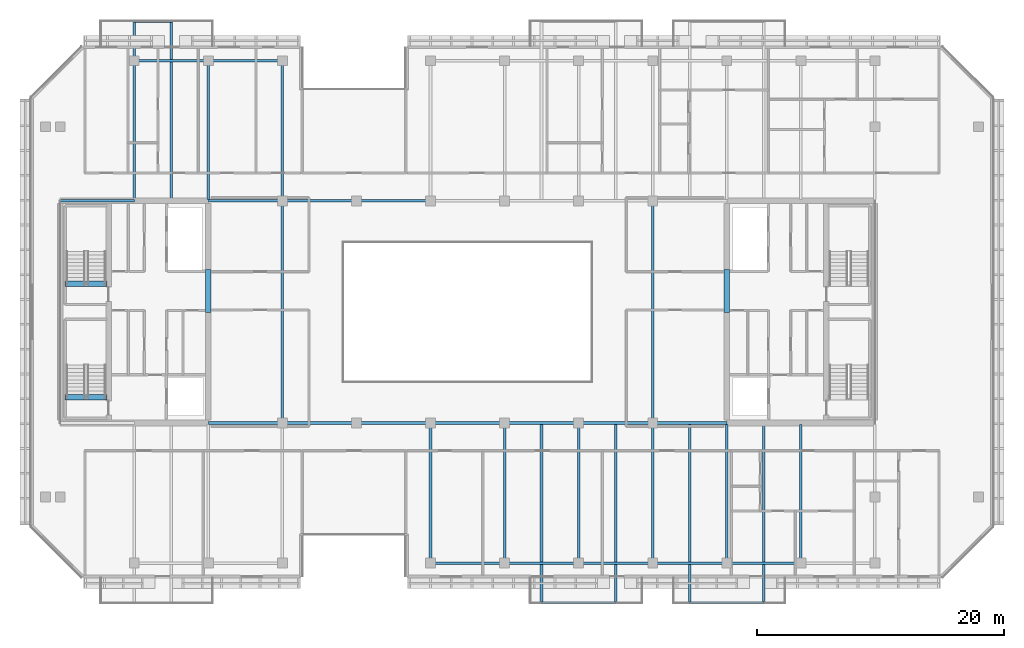
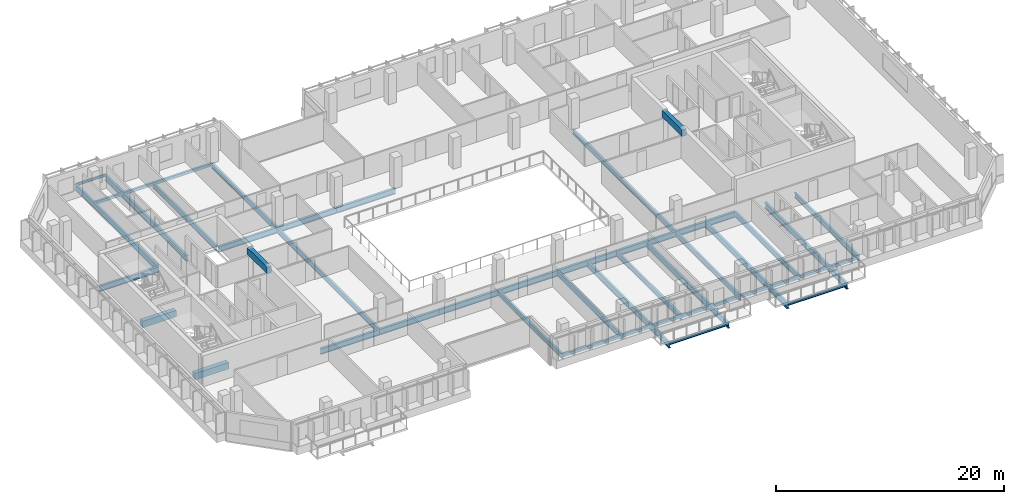
# One storey, part 3 of 16: 41 beams.
"""IFC4 building model written with IfcOpenShell, lengths in metres."""

import ifcopenshell
import ifcopenshell.guid

model = None  # the IFC model being written
_history = None  # IfcOwnerHistory: only IFC2X3 demands one
_inside = {}  # id of a spatial element -> (the spatial element, [elements in it])
_under = {}  # id of a project, library or spatial element -> (it, [spatial elements below it])
_declared = {}  # id of a project -> (the project, [libraries it declares])
_typed = {}  # id of a type object -> (the type object, [elements of that type])
_made_of = {}  # id of a material, layer set ... -> (it, [elements and type objects made of it])


def new_model(schema):
    """Start an empty IFC model of exactly this schema.

    Asked for "IFC4X3", IfcOpenShell would pick the latest addendum, in which some entities
    have other attributes; the version numbers below select the first issue.
    IFC2X3 requires an IfcOwnerHistory on every rooted entity: one is made here for all.
    """
    global model, _history
    if schema == "IFC4X3":
        model = ifcopenshell.file(schema_version=(4, 3, 0, 0))
    else:
        model = ifcopenshell.file(schema=schema)
    _inside.clear()
    _under.clear()
    _declared.clear()
    _typed.clear()
    _made_of.clear()
    _history = None
    if model.schema == "IFC2X3":
        org = make("IfcOrganization", Name="unknown")
        user = make(
            "IfcPersonAndOrganization",
            ThePerson=make("IfcPerson", FamilyName="unknown"),
            TheOrganization=org,
        )
        app = make(
            "IfcApplication",
            ApplicationDeveloper=org,
            Version="unknown",
            ApplicationFullName="unknown",
            ApplicationIdentifier="unknown",
        )
        _history = make(
            "IfcOwnerHistory",
            OwningUser=user,
            OwningApplication=app,
            ChangeAction="ADDED",
            CreationDate=0,
        )
    return model


def make(cls, **values):
    """One entity of the class cls with the attributes given. An attribute that is None is left unset."""
    return model.create_entity(
        cls, **{name: value for name, value in values.items() if value is not None}
    )


def rooted(cls, **values):
    """An entity with a GlobalId (a new one), such as an element, a storey or a relation."""
    return make(cls, GlobalId=ifcopenshell.guid.new(), OwnerHistory=_history, **values)


def si_unit(unit_type, name, prefix=None):
    """IfcSIUnit, for example si_unit("LENGTHUNIT", "METRE", prefix="MILLI")."""
    return make("IfcSIUnit", UnitType=unit_type, Prefix=prefix, Name=name)


def assignment(units):
    """IfcUnitAssignment: the units of a project."""
    return None if units is None else make("IfcUnitAssignment", Units=units)


def point(xyz):
    """IfcCartesianPoint."""
    return None if xyz is None else make("IfcCartesianPoint", Coordinates=xyz)


def direction(xyz):
    """IfcDirection."""
    return None if xyz is None else make("IfcDirection", DirectionRatios=xyz)


def frame(location, z_axis=None, x_axis=None):
    """IfcAxis2Placement3D, a coordinate frame: its origin and axes. An axis left out is left unset."""
    return make(
        "IfcAxis2Placement3D",
        Location=point(location),
        Axis=direction(z_axis),
        RefDirection=direction(x_axis),
    )


def frame_2d(location, x_axis=None):
    """IfcAxis2Placement2D, a coordinate frame in the plane: its origin and x axis."""
    return make(
        "IfcAxis2Placement2D", Location=point(location), RefDirection=direction(x_axis)
    )


def origin():
    """The frame at (0, 0, 0) with its axes left unset."""
    return frame((0.0, 0.0, 0.0))


def origin_2d():
    """The frame at (0, 0) in the plane with its x axis left unset."""
    return frame_2d((0.0, 0.0))


def place(relative_to, where):
    """IfcLocalPlacement: puts the frame where relative to a parent placement (None: the world)."""
    return make(
        "IfcLocalPlacement", PlacementRelTo=relative_to, RelativePlacement=where
    )


def context(
    kind, dimensions, precision=None, world=None, true_north=None, identifier=None
):
    """IfcGeometricRepresentationContext, for example the 3D "Model" context."""
    return make(
        "IfcGeometricRepresentationContext",
        ContextIdentifier=identifier,
        ContextType=kind,
        CoordinateSpaceDimension=dimensions,
        Precision=precision,
        WorldCoordinateSystem=world,
        TrueNorth=true_north,
    )


def subcontext(parent, identifier, kind, view, scale=None):
    """IfcGeometricRepresentationSubContext, for example "Body" below "Model"."""
    return make(
        "IfcGeometricRepresentationSubContext",
        ContextIdentifier=identifier,
        ContextType=kind,
        ParentContext=parent,
        TargetScale=scale,
        TargetView=view,
    )


def project(units=None, contexts=None):
    """IfcProject with its units and contexts."""
    return rooted(
        "IfcProject",
        Name="project",
        RepresentationContexts=contexts,
        UnitsInContext=assignment(units),
    )


def spatial(cls, under=None, at=None, **own):
    """A site, building, storey or space (cls), placed at a placement, below another one or the project."""
    s = rooted(cls, ObjectPlacement=at, **own)
    if under is not None:
        _under.setdefault(under.id(), (under, []))[1].append(s)
    return s


def profile(cls, at=None, kind="AREA", **sizes):
    """A parametric profile (cls). Its sizes go by their IFC names, for example OverallWidth=200.0."""
    return make(cls, ProfileType=kind, Position=at, **sizes)


def rectangle(**sizes):
    """IfcRectangleProfileDef."""
    return profile("IfcRectangleProfileDef", **sizes)


def hollow_rectangle(**sizes):
    """IfcRectangleHollowProfileDef."""
    return profile("IfcRectangleHollowProfileDef", **sizes)


def i_section(**sizes):
    """IfcIShapeProfileDef."""
    return profile("IfcIShapeProfileDef", **sizes)


def extrude(swept, where, along, depth):
    """IfcExtrudedAreaSolid: the profile swept, set in the frame where, extruded along a direction by depth."""
    return make(
        "IfcExtrudedAreaSolid",
        SweptArea=swept,
        Position=where,
        ExtrudedDirection=direction(along),
        Depth=depth,
    )


def shape(context_of_items, identifier, shape_type, items):
    """IfcShapeRepresentation: the items that make up one representation, for example the "Body"."""
    return make(
        "IfcShapeRepresentation",
        ContextOfItems=context_of_items,
        RepresentationIdentifier=identifier,
        RepresentationType=shape_type,
        Items=items,
    )


def material(Name=None, Category=None):
    """IfcMaterial."""
    return make("IfcMaterial", Name=Name, Category=Category)


def material_profile(
    of_material, cross_section, Name=None, Category=None, Priority=None
):
    """IfcMaterialProfile: a cross section and its material."""
    return make(
        "IfcMaterialProfile",
        Name=Name,
        Material=of_material,
        Profile=cross_section,
        Priority=Priority,
        Category=Category,
    )


def profile_set(profiles, Name=None, composite=None):
    """IfcMaterialProfileSet."""
    return make(
        "IfcMaterialProfileSet",
        Name=Name,
        MaterialProfiles=profiles,
        CompositeProfile=composite,
    )


def made_of(thing, what):
    """Note that an element or type object is made of a material, layer set ...; save() writes the relation."""
    if what is not None:
        _made_of.setdefault(what.id(), (what, []))[1].append(thing)
    return thing


def type_object(cls, material=None, **own):
    """A type object (cls), such as IfcWallType, which elements share."""
    return made_of(rooted(cls, **own), material)


def element(
    cls,
    number,
    at=None,
    inside=None,
    cuts=None,
    type_object=None,
    material=None,
    context=None,
    identifier="Body",
    shape_type=None,
    held_by="IfcProductDefinitionShape",
    body=None,
    shapes=None,
    **own,
):
    """One element of the class cls, such as IfcWall. Its Tag is "e" and its number.

    at: its placement. inside: the storey or other place that contains it. cuts: it is an
    opening in that element (IfcRelVoidsElement). A single representation is given by context,
    identifier, shape_type and body (its items); several are given by shapes. held_by: the class
    of the entity that holds the representations. save() writes the other relations.
    """
    e = rooted(cls, Tag="e%d" % number, ObjectPlacement=at, **own)
    if body is not None:
        shapes = [shape(context, identifier, shape_type, body)]
    if shapes is not None:
        e.Representation = make(held_by, Representations=shapes)
    if inside is not None:
        _inside.setdefault(inside.id(), (inside, []))[1].append(e)
    if cuts is not None:
        rooted(
            "IfcRelVoidsElement", RelatingBuildingElement=cuts, RelatedOpeningElement=e
        )
    if type_object is not None:
        _typed.setdefault(type_object.id(), (type_object, []))[1].append(e)
    return made_of(e, material)


def aggregate(whole, parts):
    """IfcRelAggregates: a whole, such as a stair, and the parts it consists of."""
    return rooted("IfcRelAggregates", RelatingObject=whole, RelatedObjects=parts)


def save(model, path):
    """Write the relations noted so far, then the file.

    IfcRelAggregates (storeys below a building ...), IfcRelContainedInSpatialStructure (elements
    in a storey), IfcRelDefinesByType, IfcRelAssociatesMaterial and IfcRelDeclares: one each for
    every whole, place, type object, material and project.
    """
    for whole, parts in _under.values():
        aggregate(whole, parts)
    for where, things in _inside.values():
        rooted(
            "IfcRelContainedInSpatialStructure",
            RelatedElements=things,
            RelatingStructure=where,
        )
    for kind, things in _typed.values():
        rooted("IfcRelDefinesByType", RelatedObjects=things, RelatingType=kind)
    for what, things in _made_of.values():
        rooted("IfcRelAssociatesMaterial", RelatedObjects=things, RelatingMaterial=what)
    for by, libraries in _declared.values():
        rooted("IfcRelDeclares", RelatingContext=by, RelatedDefinitions=libraries)
    model.write(path)


model = new_model("IFC4")

# Units and contexts
model_context = context("Model", 3, precision=1e-05, world=origin(), true_north=direction((0.0, 1.0)))
body_context = subcontext(model_context, "Body", "Model", "MODEL_VIEW")
ifc_project = project(units=[si_unit("LENGTHUNIT", "METRE"), si_unit("AREAUNIT", "SQUARE_METRE"), si_unit("VOLUMEUNIT", "CUBIC_METRE"), si_unit("PLANEANGLEUNIT", "RADIAN"), si_unit("MASSUNIT", "GRAM", prefix="KILO")], contexts=[model_context])

# Site, building, storey
site_placement = place(None, origin())
site = spatial("IfcSite", under=ifc_project, at=site_placement, CompositionType="ELEMENT")
building_placement = place(site_placement, origin())
building = spatial("IfcBuilding", under=site, at=building_placement, Name="Tanjung Sevakor Pilgrim Tower", CompositionType="ELEMENT")
storey_placement = place(building_placement, frame((0.0, 0.0, 191.72998046875)))
storey = spatial("IfcBuildingStorey", under=building, at=storey_placement, Name="L53", CompositionType="ELEMENT", Elevation=191.72998046875)

# Beams
ifc_material_1 = material(Name="Steel S355J2", Category="steel")
ifc_material_profile_1 = material_profile(ifc_material_1, i_section(OverallWidth=0.22900390625, OverallDepth=0.6123046875, WebThickness=0.011962890625, FlangeThickness=0.01953125, FilletRadius=0.0126953125, at=origin_2d()))
ifc_profile_set_1 = profile_set([ifc_material_profile_1], Name="Steel S355J2")
beam_type_1 = type_object("IfcBeamType", Name="BM-B-G4-UB_610x229x125", PredefinedType="BEAM", material=ifc_profile_set_1)
for number, where, z_axis, x_axis, name in (
    (1, (36.0, 24.60009765625, -0.526123046875), (1.0, 0.0, 0.0), (0.0, 1.0, 0.0), "L53 Primary Floor Girder MAIN Y246-02"),
    (2, (42.0, 24.60009765625, -0.526123046875), (1.0, 0.0, 0.0), (0.0, 1.0, 0.0), "L53 Primary Floor Girder MAIN Y246-03"),
    (3, (48.0, 24.60009765625, -0.526123046875), (1.0, 0.0, 0.0), (0.0, 1.0, 0.0), "L53 Primary Floor Girder MAIN Y246-04"),
    (4, (54.0, 24.60009765625, -0.526123046875), (1.0, 0.0, 0.0), (0.0, 1.0, 0.0), "L53 Primary Floor Girder MAIN Y246-05"),
    (5, (60.0, 24.60009765625, -0.526123046875), (1.0, 0.0, 0.0), (0.0, 1.0, 0.0), "L53 Primary Floor Girder MAIN Y246-06"),
    (6, (66.0, 24.60009765625, -0.526123046875), (1.0, 0.0, 0.0), (0.0, 1.0, 0.0), "L53 Primary Floor Girder MAIN Y246-07"),
    (7, (72.0, 24.60009765625, -0.526123046875), (1.0, 0.0, 0.0), (0.0, 1.0, 0.0), "L53 Primary Floor Girder MAIN Y246-08"),
    (8, (24.0, 42.60009765625, -0.526123046875), (1.0, 0.0, 0.0), (0.0, 1.0, 0.0), "L53 Primary Floor Girder MAIN Y426-01"),
    (9, (36.0, 42.60009765625, -0.526123046875), (1.0, 0.0, 0.0), (0.0, 1.0, 0.0), "L53 Primary Floor Girder MAIN Y426-02"),
    (10, (42.0, 42.60009765625, -0.526123046875), (1.0, 0.0, 0.0), (0.0, 1.0, 0.0), "L53 Primary Floor Girder MAIN Y426-03"),
    (11, (48.0, 42.60009765625, -0.526123046875), (1.0, 0.0, 0.0), (0.0, 1.0, 0.0), "L53 Primary Floor Girder MAIN Y426-04"),
):
    element("IfcBeam", number, at=place(storey_placement, frame(where, z_axis=z_axis, x_axis=x_axis)), inside=storey, type_object=beam_type_1, Name=name, PredefinedType="BEAM", context=body_context, shape_type="SweptSolid", body=[
        extrude(i_section(OverallWidth=0.22900390625, OverallDepth=0.6123046875, WebThickness=0.011962890625, FlangeThickness=0.01953125, FilletRadius=0.0126953125, at=origin_2d()), origin(), (0.0, 0.0, 1.0), 6.0),
    ])
for number, where, z_axis, x_axis, name in (
    (12, (30.0, 42.714599609375, -0.526123046875), (0.0, 1.0, 0.0), (-1.0, 0.0, 0.0), "L53 Balcony Cantilever Beam MAIN-N1-1"),
    (13, (33.0, 42.714599609375, -0.526123046875), (0.0, 1.0, 0.0), (-1.0, 0.0, 0.0), "L53 Balcony Cantilever Beam MAIN-N1-2"),
):
    element("IfcBeam", number, at=place(storey_placement, frame(where, z_axis=z_axis, x_axis=x_axis)), inside=storey, type_object=beam_type_1, Name=name, PredefinedType="BEAM", context=body_context, shape_type="SweptSolid", body=[
        extrude(i_section(OverallWidth=0.22900390625, OverallDepth=0.6123046875, WebThickness=0.011962890625, FlangeThickness=0.01953125, FilletRadius=0.0126953125, at=origin_2d()), origin(), (0.0, 0.0, 1.0), 14.415283203125),
    ])
for number, where, z_axis, x_axis, name in (
    (14, (63.0, 24.485595703125, -0.526123046875), (0.0, -1.0, 0.0), (1.0, 0.0, 0.0), "L53 Balcony Cantilever Beam MAIN-S2-1"),
    (15, (69.0, 24.485595703125, -0.526123046875), (0.0, -1.0, 0.0), (1.0, 0.0, 0.0), "L53 Balcony Cantilever Beam MAIN-S2-2"),
    (16, (75.0, 24.485595703125, -0.526123046875), (0.0, -1.0, 0.0), (1.0, 0.0, 0.0), "L53 Balcony Cantilever Beam MAIN-S3-1"),
    (17, (81.0, 24.485595703125, -0.526123046875), (0.0, -1.0, 0.0), (1.0, 0.0, 0.0), "L53 Balcony Cantilever Beam MAIN-S3-2"),
):
    element("IfcBeam", number, at=place(storey_placement, frame(where, z_axis=z_axis, x_axis=x_axis)), inside=storey, type_object=beam_type_1, Name=name, PredefinedType="BEAM", context=body_context, shape_type="SweptSolid", body=[
        extrude(i_section(OverallWidth=0.22900390625, OverallDepth=0.6123046875, WebThickness=0.011962890625, FlangeThickness=0.01953125, FilletRadius=0.0126953125, at=origin_2d()), origin(), (0.0, 0.0, 1.0), 14.41552734375),
    ])
ifc_material_2 = material(Name="Steel S355J2", Category="steel")
ifc_material_profile_2 = material_profile(ifc_material_2, i_section(OverallWidth=0.2119140625, OverallDepth=0.54443359375, WebThickness=0.0126953125, FlangeThickness=0.021240234375, FilletRadius=0.0126953125, at=origin_2d()))
ifc_profile_set_2 = profile_set([ifc_material_profile_2], Name="Steel S355J2")
beam_type_2 = type_object("IfcBeamType", Name="BM-B-G5-UB_533x210x122", PredefinedType="BEAM", material=ifc_profile_set_2)
beam_1_placement = place(storey_placement, frame((36.0, 42.714599609375, -0.4921875), z_axis=(0.0, 1.0, 0.0), x_axis=(-1.0, 0.0, 0.0)))
element("IfcBeam", 18, at=beam_1_placement, inside=storey, type_object=beam_type_2, Name="L53 MAIN Girder 002", PredefinedType="BEAM", context=body_context, shape_type="SweptSolid", body=[
    extrude(i_section(OverallWidth=0.2119140625, OverallDepth=0.54443359375, WebThickness=0.0126953125, FlangeThickness=0.021240234375, FilletRadius=0.0126953125, at=origin_2d()), origin(), (0.0, 0.0, 1.0), 11.2353515625),
])
beam_2_placement = place(storey_placement, frame((42.0, 24.60009765625, -0.4921875), z_axis=(0.0, 1.0, 0.0), x_axis=(-1.0, 0.0, 0.0)))
element("IfcBeam", 19, at=beam_2_placement, inside=storey, type_object=beam_type_2, Name="L53 MAIN Girder 004", PredefinedType="BEAM", context=body_context, shape_type="SweptSolid", body=[
    extrude(i_section(OverallWidth=0.2119140625, OverallDepth=0.54443359375, WebThickness=0.0126953125, FlangeThickness=0.021240234375, FilletRadius=0.0126953125, at=origin_2d()), origin(), (0.0, 0.0, 1.0), 18.0),
])
beam_3_placement = place(storey_placement, frame((42.0, 42.60009765625, -0.4921875), z_axis=(0.0, 1.0, 0.0), x_axis=(-1.0, 0.0, 0.0)))
element("IfcBeam", 20, at=beam_3_placement, inside=storey, type_object=beam_type_2, Name="L53 MAIN Girder 005", PredefinedType="BEAM", context=body_context, shape_type="SweptSolid", body=[
    extrude(i_section(OverallWidth=0.2119140625, OverallDepth=0.54443359375, WebThickness=0.0126953125, FlangeThickness=0.021240234375, FilletRadius=0.0126953125, at=origin_2d()), origin(), (0.0, 0.0, 1.0), 11.349853515625),
])
for number, where, z_axis, x_axis, name in (
    (21, (54.0, 13.25, -0.4921875), (0.0, 1.0, 0.0), (-1.0, 0.0, 0.0), "L53 MAIN Girder 006"),
    (22, (60.0, 13.25, -0.4921875), (0.0, 1.0, 0.0), (-1.0, 0.0, 0.0), "L53 MAIN Girder 008"),
    (23, (66.0, 13.25, -0.4921875), (0.0, 1.0, 0.0), (-1.0, 0.0, 0.0), "L53 MAIN Girder 010"),
    (24, (72.0, 13.25, -0.4921875), (0.0, 1.0, 0.0), (-1.0, 0.0, 0.0), "L53 MAIN Girder 012"),
):
    element("IfcBeam", number, at=place(storey_placement, frame(where, z_axis=z_axis, x_axis=x_axis)), inside=storey, type_object=beam_type_2, Name=name, PredefinedType="BEAM", context=body_context, shape_type="SweptSolid", body=[
        extrude(i_section(OverallWidth=0.2119140625, OverallDepth=0.54443359375, WebThickness=0.0126953125, FlangeThickness=0.021240234375, FilletRadius=0.0126953125, at=origin_2d()), origin(), (0.0, 0.0, 1.0), 11.35009765625),
    ])
beam_4_placement = place(storey_placement, frame((72.0, 24.60009765625, -0.4921875), z_axis=(0.0, 1.0, 0.0), x_axis=(-1.0, 0.0, 0.0)))
element("IfcBeam", 25, at=beam_4_placement, inside=storey, type_object=beam_type_2, Name="L53 MAIN Girder 013", PredefinedType="BEAM", context=body_context, shape_type="SweptSolid", body=[
    extrude(i_section(OverallWidth=0.2119140625, OverallDepth=0.54443359375, WebThickness=0.0126953125, FlangeThickness=0.021240234375, FilletRadius=0.0126953125, at=origin_2d()), origin(), (0.0, 0.0, 1.0), 18.0),
])
for number, where, z_axis, x_axis, name in (
    (26, (78.0, 13.25, -0.4921875), (0.0, 1.0, 0.0), (-1.0, 0.0, 0.0), "L53 MAIN Girder 015"),
    (27, (84.0, 13.25, -0.4921875), (0.0, 1.0, 0.0), (-1.0, 0.0, 0.0), "L53 MAIN Girder 017"),
):
    element("IfcBeam", number, at=place(storey_placement, frame(where, z_axis=z_axis, x_axis=x_axis)), inside=storey, type_object=beam_type_2, Name=name, PredefinedType="BEAM", context=body_context, shape_type="SweptSolid", body=[
        extrude(i_section(OverallWidth=0.2119140625, OverallDepth=0.54443359375, WebThickness=0.0126953125, FlangeThickness=0.021240234375, FilletRadius=0.0126953125, at=origin_2d()), origin(), (0.0, 0.0, 1.0), 11.235595703125),
    ])
ifc_material_3 = material(Name="Steel S355J2", Category="steel")
ifc_material_profile_3 = material_profile(ifc_material_3, i_section(OverallWidth=0.146484375, OverallDepth=0.256103515625, WebThickness=0.00634765625, FlangeThickness=0.010986328125, FilletRadius=0.007568359375, at=origin_2d()))
ifc_profile_set_3 = profile_set([ifc_material_profile_3], Name="Steel S355J2")
beam_type_3 = type_object("IfcBeamType", Name="BM-B-J6-UB_254x146x37", PredefinedType="JOIST", material=ifc_profile_set_3)
beam_5_placement = place(storey_placement, frame((30.0, 57.1298828125, -0.327880859375), z_axis=(1.0, 0.0, 0.0), x_axis=(0.0, 1.0, 0.0)))
element("IfcBeam", 28, at=beam_5_placement, inside=storey, type_object=beam_type_3, Name="L53 Balcony Rim Tie MAIN-N1", PredefinedType="JOIST", context=body_context, shape_type="SweptSolid", body=[
    extrude(i_section(OverallWidth=0.146484375, OverallDepth=0.256103515625, WebThickness=0.00634765625, FlangeThickness=0.010986328125, FilletRadius=0.007568359375, at=origin_2d()), origin(), (0.0, 0.0, 1.0), 3.0),
])
for number, where, z_axis, x_axis, name in (
    (29, (63.0, 10.070068359375, -0.327880859375), (1.0, 0.0, 0.0), (0.0, 1.0, 0.0), "L53 Balcony Rim Tie MAIN-S2"),
    (30, (75.0, 10.070068359375, -0.327880859375), (1.0, 0.0, 0.0), (0.0, 1.0, 0.0), "L53 Balcony Rim Tie MAIN-S3"),
):
    element("IfcBeam", number, at=place(storey_placement, frame(where, z_axis=z_axis, x_axis=x_axis)), inside=storey, type_object=beam_type_3, Name=name, PredefinedType="JOIST", context=body_context, shape_type="SweptSolid", body=[
        extrude(i_section(OverallWidth=0.146484375, OverallDepth=0.256103515625, WebThickness=0.00634765625, FlangeThickness=0.010986328125, FilletRadius=0.007568359375, at=origin_2d()), origin(), (0.0, 0.0, 1.0), 6.0),
    ])
ifc_material_4 = material(Name="Concrete C60/75", Category="concrete")
ifc_material_profile_4 = material_profile(ifc_material_4, rectangle(XDim=0.449951171875, YDim=0.699951171875, at=origin_2d()))
ifc_profile_set_4 = profile_set([ifc_material_profile_4], Name="Concrete C60/75")
beam_type_4 = type_object("IfcBeamType", Name="BM-B-LN3-RC-BM_450x700", PredefinedType="LINTEL", material=ifc_profile_set_4)
for number, where, z_axis, x_axis, name in (
    (31, (36.0, 33.550048828125, 2.72998046875), (0.0, 1.0, 0.0), (-1.0, 0.0, 0.0), "L53 W Core Coupling Lintel"),
    (32, (78.0, 33.550048828125, 2.72998046875), (0.0, 1.0, 0.0), (-1.0, 0.0, 0.0), "L53 E Core Coupling Lintel"),
):
    element("IfcBeam", number, at=place(storey_placement, frame(where, z_axis=z_axis, x_axis=x_axis)), inside=storey, type_object=beam_type_4, Name=name, PredefinedType="LINTEL", context=body_context, shape_type="SweptSolid", body=[
        extrude(rectangle(XDim=0.449951171875, YDim=0.699951171875, at=origin_2d()), origin(), (0.0, 0.0, 1.0), 3.5),
    ])
for number, where, z_axis, x_axis, name in (
    (33, (24.39990234375, 26.699951171875, -0.35009765625), (1.0, 0.0, 0.0), (0.0, 1.0, 0.0), "L53 TS-W1 Stair Threshold Beam"),
    (34, (24.39990234375, 35.89990234375, -0.35009765625), (1.0, 0.0, 0.0), (0.0, 1.0, 0.0), "L53 TS-W2 Stair Threshold Beam"),
):
    element("IfcBeam", number, at=place(storey_placement, frame(where, z_axis=z_axis, x_axis=x_axis)), inside=storey, type_object=beam_type_4, Name=name, PredefinedType="LINTEL", context=body_context, shape_type="SweptSolid", body=[
        extrude(rectangle(XDim=0.449951171875, YDim=0.699951171875, at=origin_2d()), origin(), (0.0, 0.0, 1.0), 3.400146484375),
    ])
ifc_material_5 = material(Name="Steel S355J2", Category="steel")
ifc_material_profile_5 = material_profile(ifc_material_5, hollow_rectangle(XDim=0.199951171875, YDim=0.300048828125, WallThickness=0.012451171875, at=origin_2d()))
ifc_profile_set_5 = profile_set([ifc_material_profile_5], Name="Steel S355J2")
beam_type_5 = type_object("IfcBeamType", Name="BM-B-SP3-RHS_300x200x12.5", PredefinedType="SPANDREL", material=ifc_profile_set_5)
for number, where, z_axis, x_axis, name in (
    (35, (30.0, 53.949951171875, -0.369873046875), (1.0, 0.0, 0.0), (0.0, 1.0, 0.0), "L53 Spandrel MAIN N-02"),
    (36, (36.0, 53.949951171875, -0.369873046875), (1.0, 0.0, 0.0), (0.0, 1.0, 0.0), "L53 Spandrel MAIN N-04"),
    (37, (54.0, 13.25, -0.369873046875), (1.0, 0.0, 0.0), (0.0, 1.0, 0.0), "L53 Spandrel MAIN S-05"),
    (38, (60.0, 13.25, -0.369873046875), (1.0, 0.0, 0.0), (0.0, 1.0, 0.0), "L53 Spandrel MAIN S-07"),
    (39, (66.0, 13.25, -0.369873046875), (1.0, 0.0, 0.0), (0.0, 1.0, 0.0), "L53 Spandrel MAIN S-09"),
    (40, (72.0, 13.25, -0.369873046875), (1.0, 0.0, 0.0), (0.0, 1.0, 0.0), "L53 Spandrel MAIN S-11"),
    (41, (78.0, 13.25, -0.369873046875), (1.0, 0.0, 0.0), (0.0, 1.0, 0.0), "L53 Spandrel MAIN S-13"),
):
    element("IfcBeam", number, at=place(storey_placement, frame(where, z_axis=z_axis, x_axis=x_axis)), inside=storey, type_object=beam_type_5, Name=name, PredefinedType="SPANDREL", context=body_context, shape_type="SweptSolid", body=[
        extrude(hollow_rectangle(XDim=0.199951171875, YDim=0.300048828125, WallThickness=0.012451171875, at=origin_2d()), origin(), (0.0, 0.0, 1.0), 6.0),
    ])

save(model, "model.ifc")
